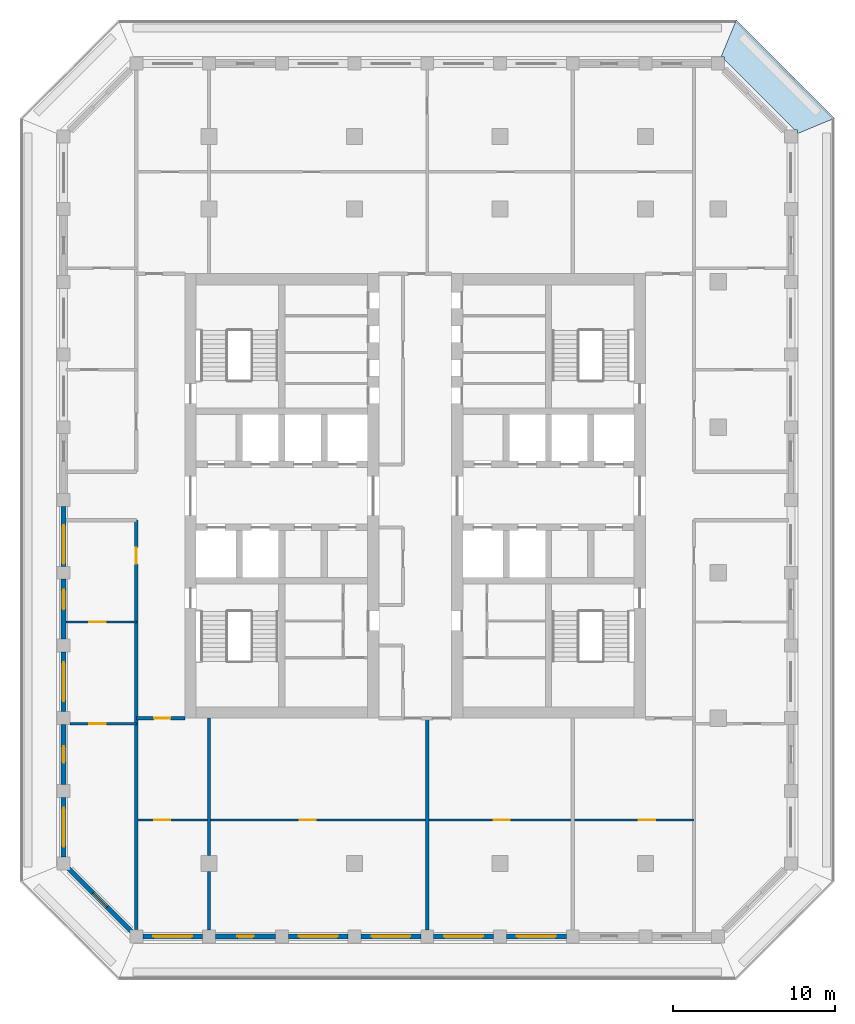
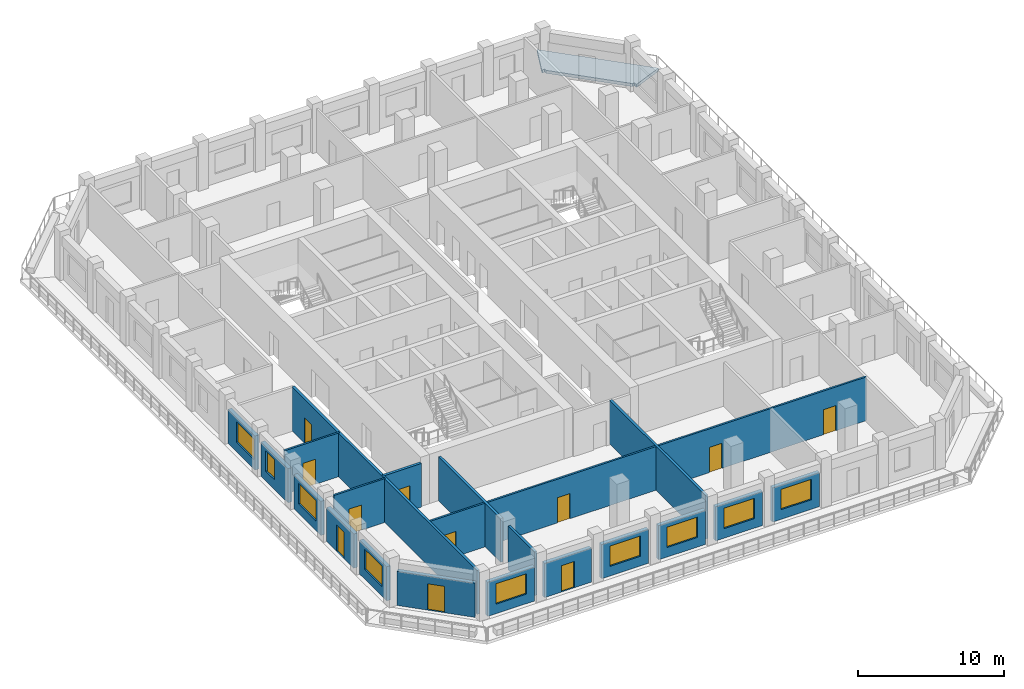
# One storey, part 2 of 17: 20 walls, 11 doors, 9 windows, 1 slab, 20 openings.
"""IFC4 building model written with IfcOpenShell, lengths in metres."""

from ifc_helpers import new_model, si_unit, direction, frame, frame_2d, origin, place, context, subcontext, project, spatial, polyline, rectangle, outline, extrude, material, layer, layer_set, type_object, element, fill, save


model = new_model("IFC4")

# Units and contexts
model_context = context("Model", 3, precision=1e-05, world=origin(), true_north=direction((0.0, 1.0)))
body_context = subcontext(model_context, "Body", "Model", "MODEL_VIEW")
ifc_project = project(units=[si_unit("LENGTHUNIT", "METRE"), si_unit("AREAUNIT", "SQUARE_METRE"), si_unit("VOLUMEUNIT", "CUBIC_METRE"), si_unit("PLANEANGLEUNIT", "RADIAN"), si_unit("MASSUNIT", "GRAM", prefix="KILO")], contexts=[model_context])

# Site, building, storey
site_placement = place(None, origin())
site = spatial("IfcSite", under=ifc_project, at=site_placement, CompositionType="ELEMENT")
building_placement = place(site_placement, origin())
building = spatial("IfcBuilding", under=site, at=building_placement, Name="Corbel Stack Research Tower", CompositionType="ELEMENT")
storey_placement = place(building_placement, frame((0.0, 0.0, 235.699951171875)))
storey = spatial("IfcBuildingStorey", under=building, at=storey_placement, Name="L53", CompositionType="ELEMENT", Elevation=235.699951171875)

# Slab
ifc_material_1 = material(Name="Concrete C45/55", Category="concrete")
ifc_layer_1 = layer(ifc_material_1, 0.25)
ifc_layer_set_1 = layer_set([ifc_layer_1], Name="Concrete C45/55")
slab_type = type_object("IfcSlabType", Name="PT balcony slab 250 C45/55", PredefinedType="FLOOR", material=ifc_layer_set_1)
slab_placement = place(storey_placement, frame((0.0, 0.0, -0.25)))
element("IfcSlab", 1, at=slab_placement, inside=storey, type_object=slab_type, Name="Loggia slab L53 NE", PredefinedType="FLOOR", context=body_context, shape_type="SweptSolid", body=[
    extrude(outline(polyline([(22.686279296875, 31.949951171875), (22.736328125, 31.89990234375), (22.89990234375, 31.89990234375), (22.89990234375, 31.736328125), (27.236328125, 27.39990234375), (27.39990234375, 27.39990234375), (27.39990234375, 27.236328125), (27.449951171875, 27.186279296875), (29.699951171875, 28.118408203125), (23.618408203125, 34.199951171875), (22.686279296875, 31.949951171875)])), origin(), (0.0, 0.0, 1.0), 0.25),
])

# Wall, opening, door
ifc_material_2 = material(Name="Fire-rated gypsum board partition on steel studs", Category="steel")
ifc_layer_2 = layer(ifc_material_2, 0.199951171875)
ifc_layer_set_2 = layer_set([ifc_layer_2], Name="Fire-rated gypsum board partition on steel studs")
wall_type_1 = type_object("IfcWallType", Name="Fire-rated partition 200 EI 60", PredefinedType="PARTITIONING", material=ifc_layer_set_2)
wall_1_placement = place(storey_placement, frame((-13.5, -22.0771484375, 0.0), z_axis=(0.0, 0.0, 1.0), x_axis=(0.0, 1.0, 0.0)))
wall_1 = element("IfcWall", 2, at=wall_1_placement, inside=storey, type_object=wall_type_1, Name="Partition L53-001", PredefinedType="PARTITIONING", context=body_context, shape_type="SweptSolid", body=[
    extrude(rectangle(XDim=25.3271484375, YDim=0.199951171875, at=frame_2d((12.66357421875, 0.0))), origin(), (0.0, 0.0, 1.0), 3.650146484375),
])
opening_1_placement = place(wall_1_placement, frame((22.627197265625, 0.0, 0.0)))
opening_1 = element("IfcOpeningElement", 3, at=opening_1_placement, cuts=wall_1, Name="Opening B7V0-005", PredefinedType="OPENING", context=body_context, shape_type="SweptSolid", body=[
    extrude(rectangle(XDim=1.0, YDim=2.10009765625, at=frame_2d((0.5, 1.050048828125))), frame((0.0, 0.10986328125, 0.0), z_axis=(0.0, -1.0, 0.0), x_axis=(1.0, 0.0, 0.0)), (0.0, 0.0, 1.0), 0.219970703125),
])
ifc_material_3 = material(Name="Painted steel fire door", Category="steel")
door_type_1 = type_object("IfcDoorType", Name="Fire door FD30S 1000 x 2100", OperationType="NOTDEFINED", PredefinedType="DOOR", material=ifc_material_3)
door_1_placement = place(opening_1_placement, origin())
door_1 = element("IfcDoor", 4, at=door_1_placement, inside=storey, type_object=door_type_1, Name="Door B7V0-005", OperationType="SINGLE_SWING_RIGHT", OverallHeight=2.10009765625, OverallWidth=1.0, PredefinedType="DOOR", context=body_context, shape_type="SweptSolid", body=[
    extrude(rectangle(XDim=1.0, YDim=2.10009765625, at=frame_2d((0.5, 1.050048828125))), frame((0.0, 0.02490234375, 0.0), z_axis=(0.0, -1.0, 0.0), x_axis=(1.0, 0.0, 0.0)), (0.0, 0.0, 1.0), 0.050048828125),
])
fill(opening_1, door_1)

# Walls
wall_2_placement = place(storey_placement, frame((-9.0, -22.10009765625, 0.0), z_axis=(0.0, 0.0, 1.0), x_axis=(0.0, 1.0, 0.0)))
element("IfcWall", 5, at=wall_2_placement, inside=storey, type_object=wall_type_1, Name="Partition L53-003", PredefinedType="PARTITIONING", context=body_context, shape_type="SweptSolid", body=[
    extrude(rectangle(XDim=3.60009765625, YDim=0.199951171875, at=frame_2d((1.800048828125, 0.0))), origin(), (0.0, 0.0, 1.0), 3.650146484375),
])
wall_3_placement = place(storey_placement, frame((-9.0, -17.5, 0.0), z_axis=(0.0, 0.0, 1.0), x_axis=(0.0, 1.0, 0.0)))
element("IfcWall", 6, at=wall_3_placement, inside=storey, type_object=wall_type_1, Name="Partition L53-004", PredefinedType="PARTITIONING", context=body_context, shape_type="SweptSolid", body=[
    extrude(rectangle(XDim=8.5, YDim=0.199951171875, at=frame_2d((4.25, 0.0))), origin(), (0.0, 0.0, 1.0), 3.650146484375),
])
wall_4_placement = place(storey_placement, frame((4.5, -22.10009765625, 0.0), z_axis=(0.0, 0.0, 1.0), x_axis=(0.0, 1.0, 0.0)))
element("IfcWall", 7, at=wall_4_placement, inside=storey, type_object=wall_type_1, Name="Partition L53-012", PredefinedType="PARTITIONING", context=body_context, shape_type="SweptSolid", body=[
    extrude(rectangle(XDim=13.10009765625, YDim=0.199951171875, at=frame_2d((6.550048828125, 0.0))), origin(), (0.0, 0.0, 1.0), 3.650146484375),
])

# Wall, opening, door
wall_5_placement = place(storey_placement, frame((-10.5, -9.0, 0.0), z_axis=(0.0, 0.0, 1.0), x_axis=(-1.0, 0.0, 0.0)))
wall_5 = element("IfcWall", 8, at=wall_5_placement, inside=storey, type_object=wall_type_1, Name="Partition L53-021", PredefinedType="PARTITIONING", context=body_context, shape_type="SweptSolid", body=[
    extrude(rectangle(XDim=3.0, YDim=0.199951171875, at=frame_2d((1.5, 0.0))), origin(), (0.0, 0.0, 1.0), 3.650146484375),
])
opening_2_placement = place(wall_5_placement, frame((0.89990234375, 0.0, 0.0)))
opening_2 = element("IfcOpeningElement", 9, at=opening_2_placement, cuts=wall_5, Name="Opening B7V0-009", PredefinedType="OPENING", context=body_context, shape_type="SweptSolid", body=[
    extrude(rectangle(XDim=1.0, YDim=2.10009765625, at=frame_2d((0.5, 1.050048828125))), frame((0.0, 0.10986328125, 0.0), z_axis=(0.0, -1.0, 0.0), x_axis=(1.0, 0.0, 0.0)), (0.0, 0.0, 1.0), 0.219970703125),
])
door_2_placement = place(opening_2_placement, origin())
door_2 = element("IfcDoor", 10, at=door_2_placement, inside=storey, type_object=door_type_1, Name="Door B7V0-009", OperationType="SINGLE_SWING_LEFT", OverallHeight=2.10009765625, OverallWidth=1.0, PredefinedType="DOOR", context=body_context, shape_type="SweptSolid", body=[
    extrude(rectangle(XDim=1.0, YDim=2.10009765625, at=frame_2d((0.5, 1.050048828125))), frame((0.0, 0.02490234375, 0.0), z_axis=(0.0, -1.0, 0.0), x_axis=(1.0, 0.0, 0.0)), (0.0, 0.0, 1.0), 0.050048828125),
])
fill(opening_2, door_2)

# Wall, openings, doors
ifc_material_4 = material(Name="Gypsum board partition on steel studs", Category="steel")
ifc_layer_3 = layer(ifc_material_4, 0.14990234375)
ifc_layer_set_3 = layer_set([ifc_layer_3], Name="Gypsum board partition on steel studs")
wall_type_2 = type_object("IfcWallType", Name="Partition 150", PredefinedType="PARTITIONING", material=ifc_layer_set_3)
wall_6_placement = place(storey_placement, frame((21.0, -15.300048828125, 0.0), z_axis=(0.0, 0.0, 1.0), x_axis=(-1.0, 0.0, 0.0)))
wall_6 = element("IfcWall", 11, at=wall_6_placement, inside=storey, type_object=wall_type_2, Name="Partition L53-017", PredefinedType="PARTITIONING", context=body_context, shape_type="SweptSolid", body=[
    extrude(rectangle(XDim=34.5, YDim=0.14990234375, at=frame_2d((17.25, 0.0))), origin(), (0.0, 0.0, 1.0), 3.650146484375),
])
opening_3_placement = place(wall_6_placement, frame((32.39990234375, 0.0, 0.0)))
opening_3 = element("IfcOpeningElement", 12, at=opening_3_placement, cuts=wall_6, Name="Opening B7V0-001", PredefinedType="OPENING", context=body_context, shape_type="SweptSolid", body=[
    extrude(rectangle(XDim=1.0, YDim=2.10009765625, at=frame_2d((0.5, 1.050048828125))), frame((0.0, 0.0849609375, 0.0), z_axis=(0.0, -1.0, 0.0), x_axis=(1.0, 0.0, 0.0)), (0.0, 0.0, 1.0), 0.169921875),
])
opening_4_placement = place(wall_6_placement, frame((23.39990234375, 0.0, 0.0)))
opening_4 = element("IfcOpeningElement", 13, at=opening_4_placement, cuts=wall_6, Name="Opening B7V0-002", PredefinedType="OPENING", context=body_context, shape_type="SweptSolid", body=[
    extrude(rectangle(XDim=1.0, YDim=2.10009765625, at=frame_2d((0.5, 1.050048828125))), frame((0.0, 0.0849609375, 0.0), z_axis=(0.0, -1.0, 0.0), x_axis=(1.0, 0.0, 0.0)), (0.0, 0.0, 1.0), 0.169921875),
])
opening_5_placement = place(wall_6_placement, frame((11.39990234375, 0.0, 0.0)))
opening_5 = element("IfcOpeningElement", 14, at=opening_5_placement, cuts=wall_6, Name="Opening B7V0-003", PredefinedType="OPENING", context=body_context, shape_type="SweptSolid", body=[
    extrude(rectangle(XDim=1.0, YDim=2.10009765625, at=frame_2d((0.5, 1.050048828125))), frame((0.0, 0.0849609375, 0.0), z_axis=(0.0, -1.0, 0.0), x_axis=(1.0, 0.0, 0.0)), (0.0, 0.0, 1.0), 0.169921875),
])
opening_6_placement = place(wall_6_placement, frame((2.39990234375, 0.0, 0.0)))
opening_6 = element("IfcOpeningElement", 15, at=opening_6_placement, cuts=wall_6, Name="Opening B7V0-004", PredefinedType="OPENING", context=body_context, shape_type="SweptSolid", body=[
    extrude(rectangle(XDim=1.0, YDim=2.10009765625, at=frame_2d((0.5, 1.050048828125))), frame((0.0, 0.0849609375, 0.0), z_axis=(0.0, -1.0, 0.0), x_axis=(1.0, 0.0, 0.0)), (0.0, 0.0, 1.0), 0.169921875),
])
ifc_material_5 = material(Name="Painted timber door", Category="wood")
door_type_2 = type_object("IfcDoorType", Name="Single door 1000 x 2100", OperationType="NOTDEFINED", PredefinedType="DOOR", material=ifc_material_5)
door_3_placement = place(opening_3_placement, origin())
door_3 = element("IfcDoor", 16, at=door_3_placement, inside=storey, type_object=door_type_2, Name="Door B7V0-001", OperationType="SINGLE_SWING_RIGHT", OverallHeight=2.10009765625, OverallWidth=1.0, PredefinedType="DOOR", context=body_context, shape_type="SweptSolid", body=[
    extrude(rectangle(XDim=1.0, YDim=2.10009765625, at=frame_2d((0.5, 1.050048828125))), frame((0.0, 0.02490234375, 0.0), z_axis=(0.0, -1.0, 0.0), x_axis=(1.0, 0.0, 0.0)), (0.0, 0.0, 1.0), 0.050048828125),
])
fill(opening_3, door_3)
door_4_placement = place(opening_4_placement, origin())
door_4 = element("IfcDoor", 17, at=door_4_placement, inside=storey, type_object=door_type_2, Name="Door B7V0-002", OperationType="SINGLE_SWING_RIGHT", OverallHeight=2.10009765625, OverallWidth=1.0, PredefinedType="DOOR", context=body_context, shape_type="SweptSolid", body=[
    extrude(rectangle(XDim=1.0, YDim=2.10009765625, at=frame_2d((0.5, 1.050048828125))), frame((0.0, 0.02490234375, 0.0), z_axis=(0.0, -1.0, 0.0), x_axis=(1.0, 0.0, 0.0)), (0.0, 0.0, 1.0), 0.050048828125),
])
fill(opening_4, door_4)
door_5_placement = place(opening_5_placement, origin())
door_5 = element("IfcDoor", 18, at=door_5_placement, inside=storey, type_object=door_type_2, Name="Door B7V0-003", OperationType="SINGLE_SWING_LEFT", OverallHeight=2.10009765625, OverallWidth=1.0, PredefinedType="DOOR", context=body_context, shape_type="SweptSolid", body=[
    extrude(rectangle(XDim=1.0, YDim=2.10009765625, at=frame_2d((0.5, 1.050048828125))), frame((0.0, 0.02490234375, 0.0), z_axis=(0.0, -1.0, 0.0), x_axis=(1.0, 0.0, 0.0)), (0.0, 0.0, 1.0), 0.050048828125),
])
fill(opening_5, door_5)
door_6_placement = place(opening_6_placement, origin())
door_6 = element("IfcDoor", 19, at=door_6_placement, inside=storey, type_object=door_type_2, Name="Door B7V0-004", OperationType="SINGLE_SWING_LEFT", OverallHeight=2.10009765625, OverallWidth=1.0, PredefinedType="DOOR", context=body_context, shape_type="SweptSolid", body=[
    extrude(rectangle(XDim=1.0, YDim=2.10009765625, at=frame_2d((0.5, 1.050048828125))), frame((0.0, 0.02490234375, 0.0), z_axis=(0.0, -1.0, 0.0), x_axis=(1.0, 0.0, 0.0)), (0.0, 0.0, 1.0), 0.050048828125),
])
fill(opening_6, door_6)

# Wall, opening, door
wall_7_placement = place(storey_placement, frame((-13.5, -9.35009765625, 0.0), z_axis=(0.0, 0.0, 1.0), x_axis=(-1.0, 0.0, 0.0)))
wall_7 = element("IfcWall", 20, at=wall_7_placement, inside=storey, type_object=wall_type_2, Name="Partition L53-018", PredefinedType="PARTITIONING", context=body_context, shape_type="SweptSolid", body=[
    extrude(rectangle(XDim=4.10009765625, YDim=0.14990234375, at=frame_2d((2.050048828125, 0.0))), origin(), (0.0, 0.0, 1.0), 3.650146484375),
])
opening_7_placement = place(wall_7_placement, frame((1.89990234375, 0.0, 0.0)))
opening_7 = element("IfcOpeningElement", 21, at=opening_7_placement, cuts=wall_7, Name="Opening B7V0-007", PredefinedType="OPENING", context=body_context, shape_type="SweptSolid", body=[
    extrude(rectangle(XDim=1.0, YDim=2.10009765625, at=frame_2d((0.5, 1.050048828125))), frame((0.0, 0.0849609375, 0.0), z_axis=(0.0, -1.0, 0.0), x_axis=(1.0, 0.0, 0.0)), (0.0, 0.0, 1.0), 0.169921875),
])
door_7_placement = place(opening_7_placement, origin())
door_7 = element("IfcDoor", 22, at=door_7_placement, inside=storey, type_object=door_type_2, Name="Door B7V0-007", OperationType="SINGLE_SWING_RIGHT", OverallHeight=2.10009765625, OverallWidth=1.0, PredefinedType="DOOR", context=body_context, shape_type="SweptSolid", body=[
    extrude(rectangle(XDim=1.0, YDim=2.10009765625, at=frame_2d((0.5, 1.050048828125))), frame((0.0, 0.02490234375, 0.0), z_axis=(0.0, -1.0, 0.0), x_axis=(1.0, 0.0, 0.0)), (0.0, 0.0, 1.0), 0.050048828125),
])
fill(opening_7, door_7)

wall_8_placement = place(storey_placement, frame((-13.5, -3.050048828125, 0.0), z_axis=(0.0, 0.0, 1.0), x_axis=(-1.0, 0.0, 0.0)))
wall_8 = element("IfcWall", 23, at=wall_8_placement, inside=storey, type_object=wall_type_2, Name="Partition L53-025", PredefinedType="PARTITIONING", context=body_context, shape_type="SweptSolid", body=[
    extrude(rectangle(XDim=4.35009765625, YDim=0.14990234375, at=frame_2d((2.175048828125, 0.0))), origin(), (0.0, 0.0, 1.0), 3.650146484375),
])
opening_8_placement = place(wall_8_placement, frame((1.89990234375, 0.0, 0.0)))
opening_8 = element("IfcOpeningElement", 24, at=opening_8_placement, cuts=wall_8, Name="Opening B7V0-013", PredefinedType="OPENING", context=body_context, shape_type="SweptSolid", body=[
    extrude(rectangle(XDim=1.0, YDim=2.10009765625, at=frame_2d((0.5, 1.050048828125))), frame((0.0, 0.0849609375, 0.0), z_axis=(0.0, -1.0, 0.0), x_axis=(1.0, 0.0, 0.0)), (0.0, 0.0, 1.0), 0.169921875),
])
door_8_placement = place(opening_8_placement, origin())
door_8 = element("IfcDoor", 25, at=door_8_placement, inside=storey, type_object=door_type_2, Name="Door B7V0-013", OperationType="SINGLE_SWING_RIGHT", OverallHeight=2.10009765625, OverallWidth=1.0, PredefinedType="DOOR", context=body_context, shape_type="SweptSolid", body=[
    extrude(rectangle(XDim=1.0, YDim=2.10009765625, at=frame_2d((0.5, 1.050048828125))), frame((0.0, 0.02490234375, 0.0), z_axis=(0.0, -1.0, 0.0), x_axis=(1.0, 0.0, 0.0)), (0.0, 0.0, 1.0), 0.050048828125),
])
fill(opening_8, door_8)

# Wall, opening, window
ifc_material_6 = material(Name="Concrete C45/55", Category="concrete")
ifc_layer_4 = layer(ifc_material_6, 0.300048828125)
ifc_layer_set_4 = layer_set([ifc_layer_4], Name="Concrete C45/55")
wall_type_3 = type_object("IfcWallType", Name="Terracotta-faced concrete wall 300", PredefinedType="SOLIDWALL", material=ifc_layer_set_4)
wall_9_placement = place(storey_placement, frame((-9.39990234375, -22.5, 0.0), z_axis=(0.0, 0.0, 1.0), x_axis=(-1.0, 0.0, 0.0)))
wall_9 = element("IfcWall", 26, at=wall_9_placement, inside=storey, type_object=wall_type_3, Name="Facade wall L53 S01", PredefinedType="SOLIDWALL", context=body_context, shape_type="SweptSolid", body=[
    extrude(rectangle(XDim=3.7001953125, YDim=0.300048828125, at=frame_2d((1.85009765625, 0.0))), origin(), (0.0, 0.0, 1.0), 2.85009765625),
])
opening_9_placement = place(wall_9_placement, frame((0.64990234375, 0.0, 0.800048828125)))
opening_9 = element("IfcOpeningElement", 27, at=opening_9_placement, cuts=wall_9, Name="Opening W1", PredefinedType="OPENING", context=body_context, shape_type="SweptSolid", body=[
    extrude(rectangle(XDim=2.39990234375, YDim=1.699951171875, at=frame_2d((1.199951171875, 0.85009765625))), frame((0.0, 0.159912109375, 0.0), z_axis=(0.0, -1.0, 0.0), x_axis=(1.0, 0.0, 0.0)), (0.0, 0.0, 1.0), 0.320068359375),
])
ifc_material_7 = material(Name="Aluminium frame, clear double glazing", Category="aluminium")
window_type_1 = type_object("IfcWindowType", Name="Window W1 2400 x 1700", PartitioningType="SINGLE_PANEL", PredefinedType="WINDOW", material=ifc_material_7)
window_1_placement = place(opening_9_placement, origin())
window_1 = element("IfcWindow", 28, at=window_1_placement, inside=storey, type_object=window_type_1, Name="Window W1 L53 S01", OverallHeight=1.699951171875, OverallWidth=2.39990234375, PartitioningType="SINGLE_PANEL", PredefinedType="WINDOW", context=body_context, shape_type="SweptSolid", body=[
    extrude(rectangle(XDim=2.39990234375, YDim=1.699951171875, at=frame_2d((1.199951171875, 0.85009765625))), frame((0.0, 0.030029296875, 0.0), z_axis=(0.0, -1.0, 0.0), x_axis=(1.0, 0.0, 0.0)), (0.0, 0.0, 1.0), 0.06005859375),
])
fill(opening_9, window_1)

# Wall, opening, door
wall_10_placement = place(storey_placement, frame((-4.89990234375, -22.5, 0.0), z_axis=(0.0, 0.0, 1.0), x_axis=(-1.0, 0.0, 0.0)))
wall_10 = element("IfcWall", 29, at=wall_10_placement, inside=storey, type_object=wall_type_3, Name="Facade wall L53 S02", PredefinedType="SOLIDWALL", context=body_context, shape_type="SweptSolid", body=[
    extrude(rectangle(XDim=3.7001953125, YDim=0.300048828125, at=frame_2d((1.85009765625, 0.0))), origin(), (0.0, 0.0, 1.0), 2.85009765625),
])
opening_10_placement = place(wall_10_placement, frame((1.35009765625, 0.0, 0.0)))
opening_10 = element("IfcOpeningElement", 30, at=opening_10_placement, cuts=wall_10, Name="Opening L53-B01", PredefinedType="OPENING", context=body_context, shape_type="SweptSolid", body=[
    extrude(rectangle(XDim=1.0, YDim=2.199951171875, at=frame_2d((0.5, 1.10009765625))), frame((0.0, 0.159912109375, 0.0), z_axis=(0.0, -1.0, 0.0), x_axis=(1.0, 0.0, 0.0)), (0.0, 0.0, 1.0), 0.320068359375),
])
ifc_material_8 = material(Name="Aluminium frame, clear double glazing", Category="aluminium")
door_type_3 = type_object("IfcDoorType", Name="Balcony door BD1 1000 x 2200", OperationType="NOTDEFINED", PredefinedType="DOOR", material=ifc_material_8)
door_9_placement = place(opening_10_placement, origin())
door_9 = element("IfcDoor", 31, at=door_9_placement, inside=storey, type_object=door_type_3, Name="Balcony door L53-B01", OperationType="SINGLE_SWING_LEFT", OverallHeight=2.199951171875, OverallWidth=1.0, PredefinedType="DOOR", context=body_context, shape_type="SweptSolid", body=[
    extrude(rectangle(XDim=1.0, YDim=2.199951171875, at=frame_2d((0.5, 1.10009765625))), frame((0.0, 0.02490234375, 0.0), z_axis=(0.0, -1.0, 0.0), x_axis=(1.0, 0.0, 0.0)), (0.0, 0.0, 1.0), 0.050048828125),
])
fill(opening_10, door_9)

# Wall, opening, window
wall_11_placement = place(storey_placement, frame((-0.39990234375, -22.5, 0.0), z_axis=(0.0, 0.0, 1.0), x_axis=(-1.0, 0.0, 0.0)))
wall_11 = element("IfcWall", 32, at=wall_11_placement, inside=storey, type_object=wall_type_3, Name="Facade wall L53 S03", PredefinedType="SOLIDWALL", context=body_context, shape_type="SweptSolid", body=[
    extrude(rectangle(XDim=3.7001953125, YDim=0.300048828125, at=frame_2d((1.85009765625, 0.0))), origin(), (0.0, 0.0, 1.0), 2.85009765625),
])
opening_11_placement = place(wall_11_placement, frame((0.64990234375, 0.0, 0.800048828125)))
opening_11 = element("IfcOpeningElement", 33, at=opening_11_placement, cuts=wall_11, Name="Opening W1", PredefinedType="OPENING", context=body_context, shape_type="SweptSolid", body=[
    extrude(rectangle(XDim=2.39990234375, YDim=1.699951171875, at=frame_2d((1.199951171875, 0.85009765625))), frame((0.0, 0.159912109375, 0.0), z_axis=(0.0, -1.0, 0.0), x_axis=(1.0, 0.0, 0.0)), (0.0, 0.0, 1.0), 0.320068359375),
])
window_2_placement = place(opening_11_placement, origin())
window_2 = element("IfcWindow", 34, at=window_2_placement, inside=storey, type_object=window_type_1, Name="Window W1 L53 S03", OverallHeight=1.699951171875, OverallWidth=2.39990234375, PartitioningType="SINGLE_PANEL", PredefinedType="WINDOW", context=body_context, shape_type="SweptSolid", body=[
    extrude(rectangle(XDim=2.39990234375, YDim=1.699951171875, at=frame_2d((1.199951171875, 0.85009765625))), frame((0.0, 0.030029296875, 0.0), z_axis=(0.0, -1.0, 0.0), x_axis=(1.0, 0.0, 0.0)), (0.0, 0.0, 1.0), 0.06005859375),
])
fill(opening_11, window_2)

wall_12_placement = place(storey_placement, frame((4.10009765625, -22.5, 0.0), z_axis=(0.0, 0.0, 1.0), x_axis=(-1.0, 0.0, 0.0)))
wall_12 = element("IfcWall", 35, at=wall_12_placement, inside=storey, type_object=wall_type_3, Name="Facade wall L53 S04", PredefinedType="SOLIDWALL", context=body_context, shape_type="SweptSolid", body=[
    extrude(rectangle(XDim=3.7001953125, YDim=0.300048828125, at=frame_2d((1.85009765625, 0.0))), origin(), (0.0, 0.0, 1.0), 2.85009765625),
])
opening_12_placement = place(wall_12_placement, frame((0.64990234375, 0.0, 0.800048828125)))
opening_12 = element("IfcOpeningElement", 36, at=opening_12_placement, cuts=wall_12, Name="Opening W1", PredefinedType="OPENING", context=body_context, shape_type="SweptSolid", body=[
    extrude(rectangle(XDim=2.39990234375, YDim=1.699951171875, at=frame_2d((1.199951171875, 0.85009765625))), frame((0.0, 0.159912109375, 0.0), z_axis=(0.0, -1.0, 0.0), x_axis=(1.0, 0.0, 0.0)), (0.0, 0.0, 1.0), 0.320068359375),
])
window_3_placement = place(opening_12_placement, origin())
window_3 = element("IfcWindow", 37, at=window_3_placement, inside=storey, type_object=window_type_1, Name="Window W1 L53 S04", OverallHeight=1.699951171875, OverallWidth=2.39990234375, PartitioningType="SINGLE_PANEL", PredefinedType="WINDOW", context=body_context, shape_type="SweptSolid", body=[
    extrude(rectangle(XDim=2.39990234375, YDim=1.699951171875, at=frame_2d((1.199951171875, 0.85009765625))), frame((0.0, 0.030029296875, 0.0), z_axis=(0.0, -1.0, 0.0), x_axis=(1.0, 0.0, 0.0)), (0.0, 0.0, 1.0), 0.06005859375),
])
fill(opening_12, window_3)

wall_13_placement = place(storey_placement, frame((8.60009765625, -22.5, 0.0), z_axis=(0.0, 0.0, 1.0), x_axis=(-1.0, 0.0, 0.0)))
wall_13 = element("IfcWall", 38, at=wall_13_placement, inside=storey, type_object=wall_type_3, Name="Facade wall L53 S05", PredefinedType="SOLIDWALL", context=body_context, shape_type="SweptSolid", body=[
    extrude(rectangle(XDim=3.7001953125, YDim=0.300048828125, at=frame_2d((1.85009765625, 0.0))), origin(), (0.0, 0.0, 1.0), 2.85009765625),
])
opening_13_placement = place(wall_13_placement, frame((0.64990234375, 0.0, 0.800048828125)))
opening_13 = element("IfcOpeningElement", 39, at=opening_13_placement, cuts=wall_13, Name="Opening W1", PredefinedType="OPENING", context=body_context, shape_type="SweptSolid", body=[
    extrude(rectangle(XDim=2.39990234375, YDim=1.699951171875, at=frame_2d((1.199951171875, 0.85009765625))), frame((0.0, 0.159912109375, 0.0), z_axis=(0.0, -1.0, 0.0), x_axis=(1.0, 0.0, 0.0)), (0.0, 0.0, 1.0), 0.320068359375),
])
window_4_placement = place(opening_13_placement, origin())
window_4 = element("IfcWindow", 40, at=window_4_placement, inside=storey, type_object=window_type_1, Name="Window W1 L53 S05", OverallHeight=1.699951171875, OverallWidth=2.39990234375, PartitioningType="SINGLE_PANEL", PredefinedType="WINDOW", context=body_context, shape_type="SweptSolid", body=[
    extrude(rectangle(XDim=2.39990234375, YDim=1.699951171875, at=frame_2d((1.199951171875, 0.85009765625))), frame((0.0, 0.030029296875, 0.0), z_axis=(0.0, -1.0, 0.0), x_axis=(1.0, 0.0, 0.0)), (0.0, 0.0, 1.0), 0.06005859375),
])
fill(opening_13, window_4)

wall_14_placement = place(storey_placement, frame((13.10009765625, -22.5, 0.0), z_axis=(0.0, 0.0, 1.0), x_axis=(-1.0, 0.0, 0.0)))
wall_14 = element("IfcWall", 41, at=wall_14_placement, inside=storey, type_object=wall_type_3, Name="Facade wall L53 S06", PredefinedType="SOLIDWALL", context=body_context, shape_type="SweptSolid", body=[
    extrude(rectangle(XDim=3.7001953125, YDim=0.300048828125, at=frame_2d((1.85009765625, 0.0))), origin(), (0.0, 0.0, 1.0), 2.85009765625),
])
opening_14_placement = place(wall_14_placement, frame((0.64990234375, 0.0, 0.800048828125)))
opening_14 = element("IfcOpeningElement", 42, at=opening_14_placement, cuts=wall_14, Name="Opening W1", PredefinedType="OPENING", context=body_context, shape_type="SweptSolid", body=[
    extrude(rectangle(XDim=2.39990234375, YDim=1.699951171875, at=frame_2d((1.199951171875, 0.85009765625))), frame((0.0, 0.159912109375, 0.0), z_axis=(0.0, -1.0, 0.0), x_axis=(1.0, 0.0, 0.0)), (0.0, 0.0, 1.0), 0.320068359375),
])
window_5_placement = place(opening_14_placement, origin())
window_5 = element("IfcWindow", 43, at=window_5_placement, inside=storey, type_object=window_type_1, Name="Window W1 L53 S06", OverallHeight=1.699951171875, OverallWidth=2.39990234375, PartitioningType="SINGLE_PANEL", PredefinedType="WINDOW", context=body_context, shape_type="SweptSolid", body=[
    extrude(rectangle(XDim=2.39990234375, YDim=1.699951171875, at=frame_2d((1.199951171875, 0.85009765625))), frame((0.0, 0.030029296875, 0.0), z_axis=(0.0, -1.0, 0.0), x_axis=(1.0, 0.0, 0.0)), (0.0, 0.0, 1.0), 0.06005859375),
])
fill(opening_14, window_5)

wall_15_placement = place(storey_placement, frame((-18.0, 0.39990234375, 0.0), z_axis=(0.0, 0.0, 1.0), x_axis=(0.0, 1.0, 0.0)))
wall_15 = element("IfcWall", 44, at=wall_15_placement, inside=storey, type_object=wall_type_3, Name="Facade wall L53 W06", PredefinedType="SOLIDWALL", context=body_context, shape_type="SweptSolid", body=[
    extrude(rectangle(XDim=3.7001953125, YDim=0.300048828125, at=frame_2d((1.85009765625, 0.0))), origin(), (0.0, 0.0, 1.0), 2.85009765625),
])
opening_15_placement = place(wall_15_placement, frame((0.14990234375, 0.0, 0.800048828125)))
opening_15 = element("IfcOpeningElement", 45, at=opening_15_placement, cuts=wall_15, Name="Opening W1", PredefinedType="OPENING", context=body_context, shape_type="SweptSolid", body=[
    extrude(rectangle(XDim=2.39990234375, YDim=1.699951171875, at=frame_2d((1.199951171875, 0.85009765625))), frame((0.0, 0.159912109375, 0.0), z_axis=(0.0, -1.0, 0.0), x_axis=(1.0, 0.0, 0.0)), (0.0, 0.0, 1.0), 0.320068359375),
])
window_6_placement = place(opening_15_placement, origin())
window_6 = element("IfcWindow", 46, at=window_6_placement, inside=storey, type_object=window_type_1, Name="Window W1 L53 W06", OverallHeight=1.699951171875, OverallWidth=2.39990234375, PartitioningType="SINGLE_PANEL", PredefinedType="WINDOW", context=body_context, shape_type="SweptSolid", body=[
    extrude(rectangle(XDim=2.39990234375, YDim=1.699951171875, at=frame_2d((1.199951171875, 0.85009765625))), frame((0.0, 0.030029296875, 0.0), z_axis=(0.0, -1.0, 0.0), x_axis=(1.0, 0.0, 0.0)), (0.0, 0.0, 1.0), 0.06005859375),
])
fill(opening_15, window_6)

wall_16_placement = place(storey_placement, frame((-18.0, -4.10009765625, 0.0), z_axis=(0.0, 0.0, 1.0), x_axis=(0.0, 1.0, 0.0)))
wall_16 = element("IfcWall", 47, at=wall_16_placement, inside=storey, type_object=wall_type_3, Name="Facade wall L53 W07", PredefinedType="SOLIDWALL", context=body_context, shape_type="SweptSolid", body=[
    extrude(rectangle(XDim=3.7001953125, YDim=0.300048828125, at=frame_2d((1.85009765625, 0.0))), origin(), (0.0, 0.0, 1.0), 2.85009765625),
])
opening_16_placement = place(wall_16_placement, frame((1.83740234375, 0.0, 0.800048828125)))
opening_16 = element("IfcOpeningElement", 48, at=opening_16_placement, cuts=wall_16, Name="Opening W2", PredefinedType="OPENING", context=body_context, shape_type="SweptSolid", body=[
    extrude(rectangle(XDim=1.199951171875, YDim=1.699951171875, at=frame_2d((0.60009765625, 0.85009765625))), frame((0.0, 0.159912109375, 0.0), z_axis=(0.0, -1.0, 0.0), x_axis=(1.0, 0.0, 0.0)), (0.0, 0.0, 1.0), 0.320068359375),
])
ifc_material_9 = material(Name="Aluminium frame, clear double glazing", Category="aluminium")
window_type_2 = type_object("IfcWindowType", Name="Window W2 1200 x 1700", PartitioningType="SINGLE_PANEL", PredefinedType="WINDOW", material=ifc_material_9)
window_7_placement = place(opening_16_placement, origin())
window_7 = element("IfcWindow", 49, at=window_7_placement, inside=storey, type_object=window_type_2, Name="Window W2 L53 W07", OverallHeight=1.699951171875, OverallWidth=1.199951171875, PartitioningType="SINGLE_PANEL", PredefinedType="WINDOW", context=body_context, shape_type="SweptSolid", body=[
    extrude(rectangle(XDim=1.199951171875, YDim=1.699951171875, at=frame_2d((0.60009765625, 0.85009765625))), frame((0.0, 0.030029296875, 0.0), z_axis=(0.0, -1.0, 0.0), x_axis=(1.0, 0.0, 0.0)), (0.0, 0.0, 1.0), 0.06005859375),
])
fill(opening_16, window_7)

wall_17_placement = place(storey_placement, frame((-18.0, -8.60009765625, 0.0), z_axis=(0.0, 0.0, 1.0), x_axis=(0.0, 1.0, 0.0)))
wall_17 = element("IfcWall", 50, at=wall_17_placement, inside=storey, type_object=wall_type_3, Name="Facade wall L53 W08", PredefinedType="SOLIDWALL", context=body_context, shape_type="SweptSolid", body=[
    extrude(rectangle(XDim=3.7001953125, YDim=0.300048828125, at=frame_2d((1.85009765625, 0.0))), origin(), (0.0, 0.0, 1.0), 2.85009765625),
])
opening_17_placement = place(wall_17_placement, frame((0.64990234375, 0.0, 0.800048828125)))
opening_17 = element("IfcOpeningElement", 51, at=opening_17_placement, cuts=wall_17, Name="Opening W1", PredefinedType="OPENING", context=body_context, shape_type="SweptSolid", body=[
    extrude(rectangle(XDim=2.39990234375, YDim=1.699951171875, at=frame_2d((1.199951171875, 0.85009765625))), frame((0.0, 0.159912109375, 0.0), z_axis=(0.0, -1.0, 0.0), x_axis=(1.0, 0.0, 0.0)), (0.0, 0.0, 1.0), 0.320068359375),
])
window_8_placement = place(opening_17_placement, origin())
window_8 = element("IfcWindow", 52, at=window_8_placement, inside=storey, type_object=window_type_1, Name="Window W1 L53 W08", OverallHeight=1.699951171875, OverallWidth=2.39990234375, PartitioningType="SINGLE_PANEL", PredefinedType="WINDOW", context=body_context, shape_type="SweptSolid", body=[
    extrude(rectangle(XDim=2.39990234375, YDim=1.699951171875, at=frame_2d((1.199951171875, 0.85009765625))), frame((0.0, 0.030029296875, 0.0), z_axis=(0.0, -1.0, 0.0), x_axis=(1.0, 0.0, 0.0)), (0.0, 0.0, 1.0), 0.06005859375),
])
fill(opening_17, window_8)

# Wall, opening, door
wall_18_placement = place(storey_placement, frame((-18.0, -13.10009765625, 0.0), z_axis=(0.0, 0.0, 1.0), x_axis=(0.0, 1.0, 0.0)))
wall_18 = element("IfcWall", 53, at=wall_18_placement, inside=storey, type_object=wall_type_3, Name="Facade wall L53 W09", PredefinedType="SOLIDWALL", context=body_context, shape_type="SweptSolid", body=[
    extrude(rectangle(XDim=3.7001953125, YDim=0.300048828125, at=frame_2d((1.85009765625, 0.0))), origin(), (0.0, 0.0, 1.0), 2.85009765625),
])
opening_18_placement = place(wall_18_placement, frame((1.35009765625, 0.0, 0.0)))
opening_18 = element("IfcOpeningElement", 54, at=opening_18_placement, cuts=wall_18, Name="Opening L53-B11", PredefinedType="OPENING", context=body_context, shape_type="SweptSolid", body=[
    extrude(rectangle(XDim=1.0, YDim=2.199951171875, at=frame_2d((0.5, 1.10009765625))), frame((0.0, 0.159912109375, 0.0), z_axis=(0.0, -1.0, 0.0), x_axis=(1.0, 0.0, 0.0)), (0.0, 0.0, 1.0), 0.320068359375),
])
door_10_placement = place(opening_18_placement, origin())
door_10 = element("IfcDoor", 55, at=door_10_placement, inside=storey, type_object=door_type_3, Name="Balcony door L53-B11", OperationType="SINGLE_SWING_RIGHT", OverallHeight=2.199951171875, OverallWidth=1.0, PredefinedType="DOOR", context=body_context, shape_type="SweptSolid", body=[
    extrude(rectangle(XDim=1.0, YDim=2.199951171875, at=frame_2d((0.5, 1.10009765625))), frame((0.0, 0.02490234375, 0.0), z_axis=(0.0, -1.0, 0.0), x_axis=(1.0, 0.0, 0.0)), (0.0, 0.0, 1.0), 0.050048828125),
])
fill(opening_18, door_10)

# Wall, opening, window
wall_19_placement = place(storey_placement, frame((-18.0, -17.60009765625, 0.0), z_axis=(0.0, 0.0, 1.0), x_axis=(0.0, 1.0, 0.0)))
wall_19 = element("IfcWall", 56, at=wall_19_placement, inside=storey, type_object=wall_type_3, Name="Facade wall L53 W10", PredefinedType="SOLIDWALL", context=body_context, shape_type="SweptSolid", body=[
    extrude(rectangle(XDim=3.7001953125, YDim=0.300048828125, at=frame_2d((1.85009765625, 0.0))), origin(), (0.0, 0.0, 1.0), 2.85009765625),
])
opening_19_placement = place(wall_19_placement, frame((0.64990234375, 0.0, 0.800048828125)))
opening_19 = element("IfcOpeningElement", 57, at=opening_19_placement, cuts=wall_19, Name="Opening W1", PredefinedType="OPENING", context=body_context, shape_type="SweptSolid", body=[
    extrude(rectangle(XDim=2.39990234375, YDim=1.699951171875, at=frame_2d((1.199951171875, 0.85009765625))), frame((0.0, 0.159912109375, 0.0), z_axis=(0.0, -1.0, 0.0), x_axis=(1.0, 0.0, 0.0)), (0.0, 0.0, 1.0), 0.320068359375),
])
window_9_placement = place(opening_19_placement, origin())
window_9 = element("IfcWindow", 58, at=window_9_placement, inside=storey, type_object=window_type_1, Name="Window W1 L53 W10", OverallHeight=1.699951171875, OverallWidth=2.39990234375, PartitioningType="SINGLE_PANEL", PredefinedType="WINDOW", context=body_context, shape_type="SweptSolid", body=[
    extrude(rectangle(XDim=2.39990234375, YDim=1.699951171875, at=frame_2d((1.199951171875, 0.85009765625))), frame((0.0, 0.030029296875, 0.0), z_axis=(0.0, -1.0, 0.0), x_axis=(1.0, 0.0, 0.0)), (0.0, 0.0, 1.0), 0.06005859375),
])
fill(opening_19, window_9)

# Wall, opening, door
wall_20_placement = place(storey_placement, frame((-13.7939453125, -22.2060546875, 0.0), z_axis=(0.0, 0.0, 1.0), x_axis=(-0.707106781187, 0.707106781187, 0.0)))
wall_20 = element("IfcWall", 59, at=wall_20_placement, inside=storey, type_object=wall_type_3, Name="Facade wall L53 SW01", PredefinedType="SOLIDWALL", context=body_context, shape_type="SweptSolid", body=[
    extrude(rectangle(XDim=5.532470703125, YDim=0.300048828125, at=frame_2d((2.76611328125, 0.0))), origin(), (0.0, 0.0, 1.0), 2.85009765625),
])
opening_20_placement = place(wall_20_placement, frame((2.166259765625, 0.0, 0.0)))
opening_20 = element("IfcOpeningElement", 60, at=opening_20_placement, cuts=wall_20, Name="Opening L53-B12", PredefinedType="OPENING", context=body_context, shape_type="SweptSolid", body=[
    extrude(rectangle(XDim=1.199951171875, YDim=2.199951171875, at=frame_2d((0.60009765625, 1.10009765625))), frame((0.0, 0.159912109375, 0.0), z_axis=(0.0, -1.0, 0.0), x_axis=(1.0, 0.0, 0.0)), (0.0, 0.0, 1.0), 0.320068359375),
])
ifc_material_10 = material(Name="Aluminium frame, clear double glazing", Category="aluminium")
door_type_4 = type_object("IfcDoorType", Name="Balcony door BD2 1200 x 2200", OperationType="NOTDEFINED", PredefinedType="DOOR", material=ifc_material_10)
door_11_placement = place(opening_20_placement, origin())
door_11 = element("IfcDoor", 61, at=door_11_placement, inside=storey, type_object=door_type_4, Name="Balcony door L53-B12", OperationType="SINGLE_SWING_RIGHT", OverallHeight=2.199951171875, OverallWidth=1.199951171875, PredefinedType="DOOR", context=body_context, shape_type="SweptSolid", body=[
    extrude(rectangle(XDim=1.199951171875, YDim=2.199951171875, at=frame_2d((0.60009765625, 1.10009765625))), frame((0.0, 0.02490234375, 0.0), z_axis=(0.0, -1.0, 0.0), x_axis=(1.0, 0.0, 0.0)), (0.0, 0.0, 1.0), 0.050048828125),
])
fill(opening_20, door_11)

save(model, "model.ifc")
